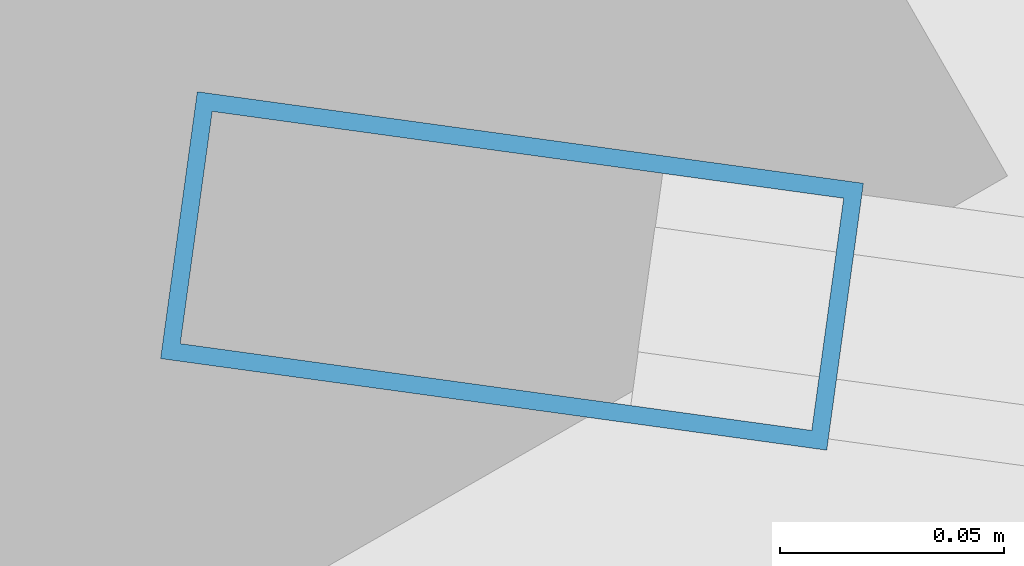
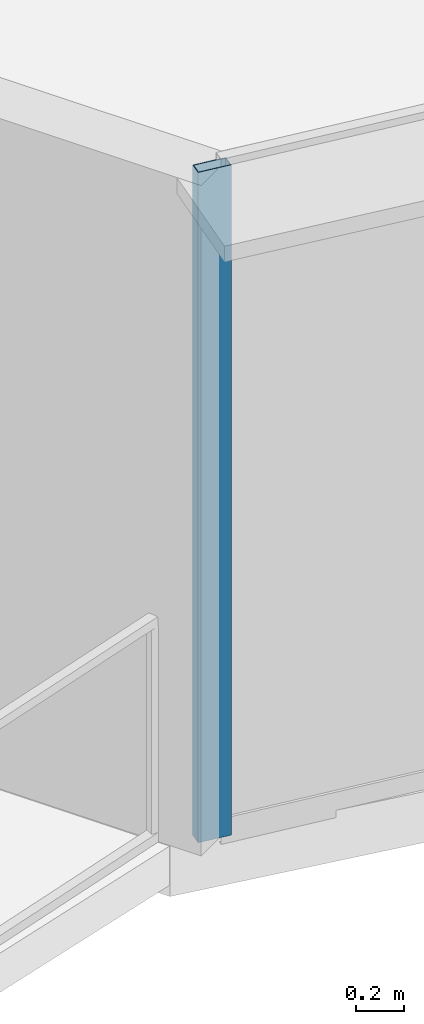
# One storey, part 2 of 39: 1 member, 1 element without a shape of its own.
"""IFC4 building model written with IfcOpenShell, lengths in metres."""

from ifc_helpers import new_model, si_unit, direction, frame, origin, origin_2d, place, context, subcontext, project, spatial, hollow_rectangle, extrude, source, transform, mapped, material, layer, layer_set, material_profile, profile_set, type_object, element, aggregate, save


model = new_model("IFC4")

# Units and contexts
model_context = context("Model", 3, precision=1e-05, world=origin(), true_north=direction((0.0, 1.0)))
body_context = subcontext(model_context, "Body", "Model", "MODEL_VIEW")
ifc_project = project(units=[si_unit("LENGTHUNIT", "METRE"), si_unit("AREAUNIT", "SQUARE_METRE"), si_unit("VOLUMEUNIT", "CUBIC_METRE"), si_unit("PLANEANGLEUNIT", "RADIAN"), si_unit("MASSUNIT", "GRAM", prefix="KILO"), si_unit("THERMODYNAMICTEMPERATUREUNIT", "KELVIN"), si_unit("POWERUNIT", "WATT")], contexts=[model_context])

# Site, building, storey
site_placement = place(None, origin())
site = spatial("IfcSite", under=ifc_project, at=site_placement, CompositionType="ELEMENT")
building_placement = place(site_placement, origin())
building = spatial("IfcBuilding", under=site, at=building_placement, Name="Yunzhuo Pagoda Commons", CompositionType="ELEMENT")
storey_placement = place(building_placement, frame((0.0, 0.0, 144.550048828125)))
storey = spatial("IfcBuildingStorey", under=building, at=storey_placement, Name="L36", CompositionType="ELEMENT", Elevation=144.550048828125)

# Curtain wall, member
ifc_material = material(Name="Anodized aluminium 6063-T6", Category="aluminium")
ifc_layer = layer(ifc_material, 0.14990234375)
ifc_layer_set = layer_set([ifc_layer], Name="Anodized aluminium 6063-T6")
curtain_wall_type = type_object("IfcCurtainWallType", Name="CW-MID Mid-Zone Ribbon Curtain Wall", PredefinedType="NOTDEFINED", material=ifc_layer_set)
curtain_wall_placement = place(storey_placement, origin())
curtain_wall = element("IfcCurtainWall", 1, at=curtain_wall_placement, inside=storey, type_object=curtain_wall_type, Name="L36 curtain wall CW-L36-F1B1", PredefinedType="NOTDEFINED")
ifc_material_profile = material_profile(ifc_material, hollow_rectangle(XDim=0.06005859375, YDim=0.14990234375, WallThickness=0.00390625, at=origin_2d()), Name="Anodized aluminium 6063-T6")
ifc_profile_set = profile_set([ifc_material_profile], Name="Anodized aluminium 6063-T6")
member_type = type_object("IfcMemberType", Name="CW-MID-M Mullion RHS 150x60x4", PredefinedType="MULLION", material=ifc_profile_set)
shared_shape = source(origin(), body_context, "Body", "SweptSolid", [
    extrude(hollow_rectangle(XDim=0.06005859375, YDim=0.14990234375, WallThickness=0.00390625, at=origin_2d()), origin(), (0.0, 0.0, 1.0), 3.419921875),
])
member_placement = place(storey_placement, frame((12.514404296875, 16.39990234375, 0.0), z_axis=(0.0, 0.0, 1.0), x_axis=(0.136220738131, 0.990678510165, 0.0)))
member = element("IfcMember", 2, at=member_placement, type_object=member_type, Name="CW mullion 1", PredefinedType="MULLION", context=body_context, shape_type="MappedRepresentation", body=[
    mapped(shared_shape, transform((0.0, 0.0, 0.0), scale=1.0)),
])
aggregate(curtain_wall, [member])

save(model, "model.ifc")
